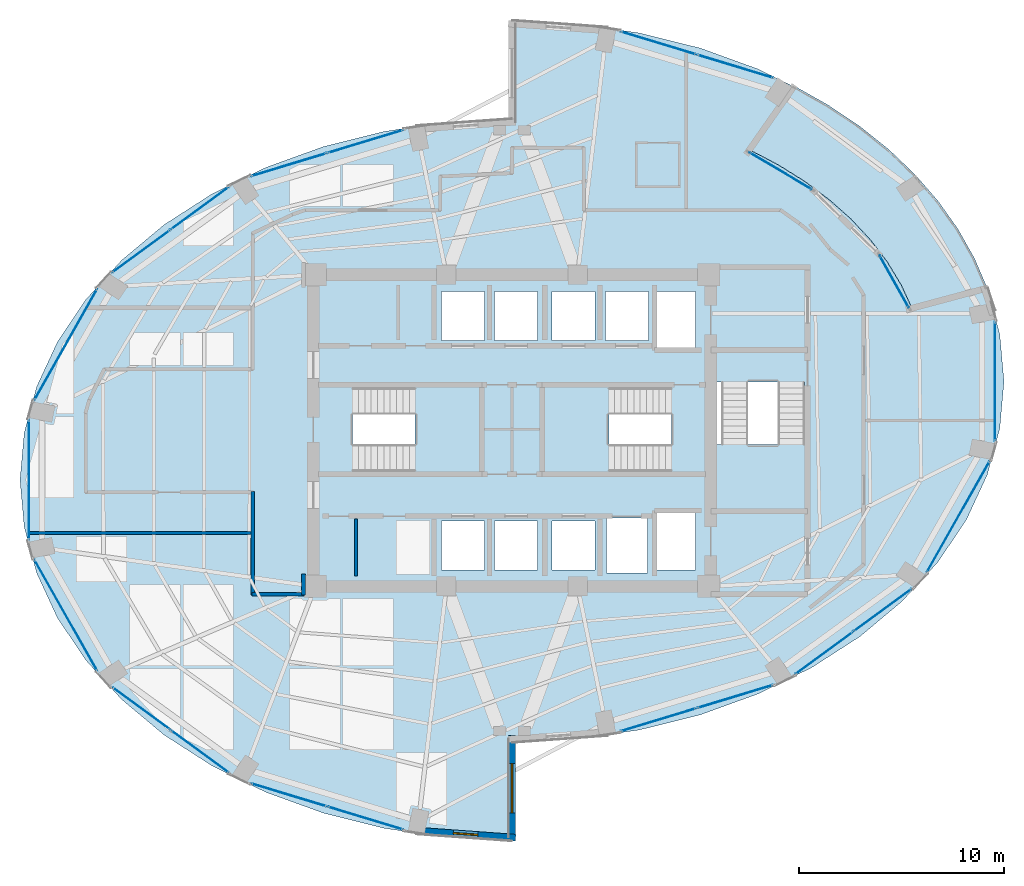
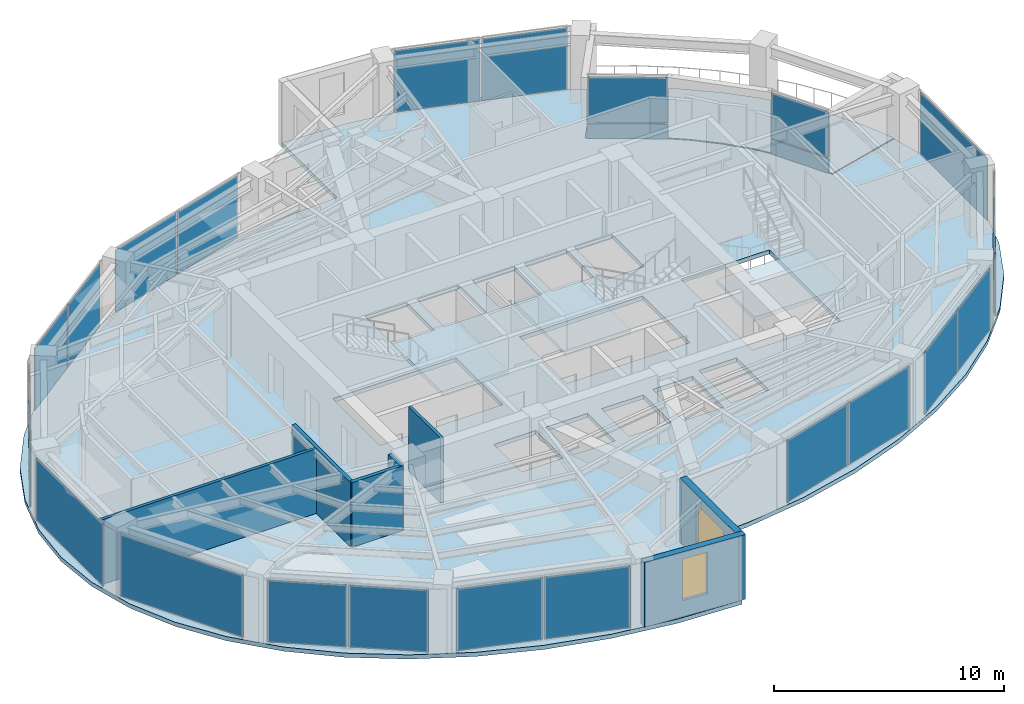
# One storey, part 14 of 19: 23 plates, 7 walls, 5 slabs, 2 windows, 2 openings, 17 elements without a shape of their own.
"""IFC4 building model written with IfcOpenShell, lengths in metres."""

import ifcopenshell
import ifcopenshell.guid

model = None  # the IFC model being written
_history = None  # IfcOwnerHistory: only IFC2X3 demands one
_inside = {}  # id of a spatial element -> (the spatial element, [elements in it])
_under = {}  # id of a project, library or spatial element -> (it, [spatial elements below it])
_declared = {}  # id of a project -> (the project, [libraries it declares])
_typed = {}  # id of a type object -> (the type object, [elements of that type])
_made_of = {}  # id of a material, layer set ... -> (it, [elements and type objects made of it])


def new_model(schema):
    """Start an empty IFC model of exactly this schema.

    Asked for "IFC4X3", IfcOpenShell would pick the latest addendum, in which some entities
    have other attributes; the version numbers below select the first issue.
    IFC2X3 requires an IfcOwnerHistory on every rooted entity: one is made here for all.
    """
    global model, _history
    if schema == "IFC4X3":
        model = ifcopenshell.file(schema_version=(4, 3, 0, 0))
    else:
        model = ifcopenshell.file(schema=schema)
    _inside.clear()
    _under.clear()
    _declared.clear()
    _typed.clear()
    _made_of.clear()
    _history = None
    if model.schema == "IFC2X3":
        org = make("IfcOrganization", Name="unknown")
        user = make(
            "IfcPersonAndOrganization",
            ThePerson=make("IfcPerson", FamilyName="unknown"),
            TheOrganization=org,
        )
        app = make(
            "IfcApplication",
            ApplicationDeveloper=org,
            Version="unknown",
            ApplicationFullName="unknown",
            ApplicationIdentifier="unknown",
        )
        _history = make(
            "IfcOwnerHistory",
            OwningUser=user,
            OwningApplication=app,
            ChangeAction="ADDED",
            CreationDate=0,
        )
    return model


def make(cls, **values):
    """One entity of the class cls with the attributes given. An attribute that is None is left unset."""
    return model.create_entity(
        cls, **{name: value for name, value in values.items() if value is not None}
    )


def rooted(cls, **values):
    """An entity with a GlobalId (a new one), such as an element, a storey or a relation."""
    return make(cls, GlobalId=ifcopenshell.guid.new(), OwnerHistory=_history, **values)


def si_unit(unit_type, name, prefix=None):
    """IfcSIUnit, for example si_unit("LENGTHUNIT", "METRE", prefix="MILLI")."""
    return make("IfcSIUnit", UnitType=unit_type, Prefix=prefix, Name=name)


def assignment(units):
    """IfcUnitAssignment: the units of a project."""
    return None if units is None else make("IfcUnitAssignment", Units=units)


def point(xyz):
    """IfcCartesianPoint."""
    return None if xyz is None else make("IfcCartesianPoint", Coordinates=xyz)


def direction(xyz):
    """IfcDirection."""
    return None if xyz is None else make("IfcDirection", DirectionRatios=xyz)


def frame(location, z_axis=None, x_axis=None):
    """IfcAxis2Placement3D, a coordinate frame: its origin and axes. An axis left out is left unset."""
    return make(
        "IfcAxis2Placement3D",
        Location=point(location),
        Axis=direction(z_axis),
        RefDirection=direction(x_axis),
    )


def frame_2d(location, x_axis=None):
    """IfcAxis2Placement2D, a coordinate frame in the plane: its origin and x axis."""
    return make(
        "IfcAxis2Placement2D", Location=point(location), RefDirection=direction(x_axis)
    )


def origin():
    """The frame at (0, 0, 0) with its axes left unset."""
    return frame((0.0, 0.0, 0.0))


def origin_2d():
    """The frame at (0, 0) in the plane with its x axis left unset."""
    return frame_2d((0.0, 0.0))


def place(relative_to, where):
    """IfcLocalPlacement: puts the frame where relative to a parent placement (None: the world)."""
    return make(
        "IfcLocalPlacement", PlacementRelTo=relative_to, RelativePlacement=where
    )


def context(
    kind, dimensions, precision=None, world=None, true_north=None, identifier=None
):
    """IfcGeometricRepresentationContext, for example the 3D "Model" context."""
    return make(
        "IfcGeometricRepresentationContext",
        ContextIdentifier=identifier,
        ContextType=kind,
        CoordinateSpaceDimension=dimensions,
        Precision=precision,
        WorldCoordinateSystem=world,
        TrueNorth=true_north,
    )


def subcontext(parent, identifier, kind, view, scale=None):
    """IfcGeometricRepresentationSubContext, for example "Body" below "Model"."""
    return make(
        "IfcGeometricRepresentationSubContext",
        ContextIdentifier=identifier,
        ContextType=kind,
        ParentContext=parent,
        TargetScale=scale,
        TargetView=view,
    )


def project(units=None, contexts=None):
    """IfcProject with its units and contexts."""
    return rooted(
        "IfcProject",
        Name="project",
        RepresentationContexts=contexts,
        UnitsInContext=assignment(units),
    )


def spatial(cls, under=None, at=None, **own):
    """A site, building, storey or space (cls), placed at a placement, below another one or the project."""
    s = rooted(cls, ObjectPlacement=at, **own)
    if under is not None:
        _under.setdefault(under.id(), (under, []))[1].append(s)
    return s


def polyline(points):
    """IfcPolyline through the points."""
    return make("IfcPolyline", Points=[point(p) for p in points])


def profile(cls, at=None, kind="AREA", **sizes):
    """A parametric profile (cls). Its sizes go by their IFC names, for example OverallWidth=200.0."""
    return make(cls, ProfileType=kind, Position=at, **sizes)


def rectangle(**sizes):
    """IfcRectangleProfileDef."""
    return profile("IfcRectangleProfileDef", **sizes)


def outline(outer, holes=None, kind="AREA"):
    """IfcArbitraryClosedProfileDef: a profile drawn as a closed curve; with holes, ...WithVoids."""
    if holes is None:
        return make("IfcArbitraryClosedProfileDef", ProfileType=kind, OuterCurve=outer)
    return make(
        "IfcArbitraryProfileDefWithVoids",
        ProfileType=kind,
        OuterCurve=outer,
        InnerCurves=holes,
    )


def extrude(swept, where, along, depth):
    """IfcExtrudedAreaSolid: the profile swept, set in the frame where, extruded along a direction by depth."""
    return make(
        "IfcExtrudedAreaSolid",
        SweptArea=swept,
        Position=where,
        ExtrudedDirection=direction(along),
        Depth=depth,
    )


def shape(context_of_items, identifier, shape_type, items):
    """IfcShapeRepresentation: the items that make up one representation, for example the "Body"."""
    return make(
        "IfcShapeRepresentation",
        ContextOfItems=context_of_items,
        RepresentationIdentifier=identifier,
        RepresentationType=shape_type,
        Items=items,
    )


def material(Name=None, Category=None):
    """IfcMaterial."""
    return make("IfcMaterial", Name=Name, Category=Category)


def layer(
    of_material, thickness, ventilated=None, Name=None, Category=None, Priority=None
):
    """IfcMaterialLayer: one layer of a wall or slab, of a material (None: an air gap)."""
    return make(
        "IfcMaterialLayer",
        Material=of_material,
        LayerThickness=thickness,
        IsVentilated=ventilated,
        Name=Name,
        Category=Category,
        Priority=Priority,
    )


def layer_set(layers, Name=None):
    """IfcMaterialLayerSet."""
    return make("IfcMaterialLayerSet", MaterialLayers=layers, LayerSetName=Name)


def made_of(thing, what):
    """Note that an element or type object is made of a material, layer set ...; save() writes the relation."""
    if what is not None:
        _made_of.setdefault(what.id(), (what, []))[1].append(thing)
    return thing


def type_object(cls, material=None, **own):
    """A type object (cls), such as IfcWallType, which elements share."""
    return made_of(rooted(cls, **own), material)


def element(
    cls,
    number,
    at=None,
    inside=None,
    cuts=None,
    type_object=None,
    material=None,
    context=None,
    identifier="Body",
    shape_type=None,
    held_by="IfcProductDefinitionShape",
    body=None,
    shapes=None,
    **own,
):
    """One element of the class cls, such as IfcWall. Its Tag is "e" and its number.

    at: its placement. inside: the storey or other place that contains it. cuts: it is an
    opening in that element (IfcRelVoidsElement). A single representation is given by context,
    identifier, shape_type and body (its items); several are given by shapes. held_by: the class
    of the entity that holds the representations. save() writes the other relations.
    """
    e = rooted(cls, Tag="e%d" % number, ObjectPlacement=at, **own)
    if body is not None:
        shapes = [shape(context, identifier, shape_type, body)]
    if shapes is not None:
        e.Representation = make(held_by, Representations=shapes)
    if inside is not None:
        _inside.setdefault(inside.id(), (inside, []))[1].append(e)
    if cuts is not None:
        rooted(
            "IfcRelVoidsElement", RelatingBuildingElement=cuts, RelatedOpeningElement=e
        )
    if type_object is not None:
        _typed.setdefault(type_object.id(), (type_object, []))[1].append(e)
    return made_of(e, material)


def fill(opening, filler):
    """IfcRelFillsElement: the door or window that sits in an opening."""
    return rooted(
        "IfcRelFillsElement",
        RelatingOpeningElement=opening,
        RelatedBuildingElement=filler,
    )


def aggregate(whole, parts):
    """IfcRelAggregates: a whole, such as a stair, and the parts it consists of."""
    return rooted("IfcRelAggregates", RelatingObject=whole, RelatedObjects=parts)


def save(model, path):
    """Write the relations noted so far, then the file.

    IfcRelAggregates (storeys below a building ...), IfcRelContainedInSpatialStructure (elements
    in a storey), IfcRelDefinesByType, IfcRelAssociatesMaterial and IfcRelDeclares: one each for
    every whole, place, type object, material and project.
    """
    for whole, parts in _under.values():
        aggregate(whole, parts)
    for where, things in _inside.values():
        rooted(
            "IfcRelContainedInSpatialStructure",
            RelatedElements=things,
            RelatingStructure=where,
        )
    for kind, things in _typed.values():
        rooted("IfcRelDefinesByType", RelatedObjects=things, RelatingType=kind)
    for what, things in _made_of.values():
        rooted("IfcRelAssociatesMaterial", RelatedObjects=things, RelatingMaterial=what)
    for by, libraries in _declared.values():
        rooted("IfcRelDeclares", RelatingContext=by, RelatedDefinitions=libraries)
    model.write(path)


model = new_model("IFC4")

# Units and contexts
model_context = context("Model", 3, precision=1e-05, world=origin(), true_north=direction((0.0, 1.0)))
body_context = subcontext(model_context, "Body", "Model", "MODEL_VIEW")
ifc_project = project(units=[si_unit("LENGTHUNIT", "METRE"), si_unit("AREAUNIT", "SQUARE_METRE"), si_unit("VOLUMEUNIT", "CUBIC_METRE"), si_unit("PLANEANGLEUNIT", "RADIAN"), si_unit("MASSUNIT", "GRAM", prefix="KILO")], contexts=[model_context])

# Site, building, storey
site_placement = place(None, origin())
site = spatial("IfcSite", under=ifc_project, at=site_placement, CompositionType="ELEMENT")
building_placement = place(site_placement, origin())
building = spatial("IfcBuilding", under=site, at=building_placement, Name="Lazwardi Medical Tower", CompositionType="ELEMENT")
storey_placement = place(building_placement, frame((0.0, 0.0, 163.823974609375)))
storey = spatial("IfcBuildingStorey", under=building, at=storey_placement, Name="L42", CompositionType="ELEMENT", Elevation=163.823974609375)

# Curtain wall, plates
ifc_material_1 = material(Name="Anodised bronze aluminium and solar control glazing", Category="aluminium")
ifc_layer_1 = layer(ifc_material_1, 0.195068359375)
ifc_layer_set_1 = layer_set([ifc_layer_1], Name="Anodised bronze aluminium and solar control glazing")
curtain_wall_type_1 = type_object("IfcCurtainWallType", Name="CW-SYS-03", PredefinedType="NOTDEFINED", material=ifc_layer_set_1)
curtain_wall_1_placement = place(storey_placement, origin())
curtain_wall_1 = element("IfcCurtainWall", 1, at=curtain_wall_1_placement, inside=storey, type_object=curtain_wall_type_1, Name="L42 Unitised bronze curtain wall CW-03", PredefinedType="NOTDEFINED")
ifc_material_2 = material(Name="Low-e bronze solar control double glazing", Category="glass")
ifc_layer_2 = layer(ifc_material_2, 0.035888671875)
ifc_layer_set_2 = layer_set([ifc_layer_2], Name="Low-e bronze solar control double glazing")
plate_type_1 = type_object("IfcPlateType", Name="PLT-GLZ-01", PredefinedType="CURTAIN_PANEL", material=ifc_layer_set_2)
plate_1_placement = place(storey_placement, frame((43.1435546875, 13.8935546875, 0.0751953125), z_axis=(0.0, 0.0, 1.0), x_axis=(0.956941516292, 0.290280785441, 0.0)))
plate_1 = element("IfcPlate", 2, at=plate_1_placement, type_object=plate_type_1, Name="CW-03 panel 1.1", PredefinedType="CURTAIN_PANEL", context=body_context, shape_type="SweptSolid", body=[
    extrude(rectangle(XDim=3.83642578125, YDim=0.035888671875, at=origin_2d()), origin(), (0.0, 0.0, 1.0), 3.278076171875),
])
plate_2_placement = place(storey_placement, frame((46.88671875, 15.029052734375, 0.0751953125), z_axis=(0.0, 0.0, 1.0), x_axis=(0.956941516292, 0.290280785441, 0.0)))
plate_2 = element("IfcPlate", 3, at=plate_2_placement, type_object=plate_type_1, Name="CW-03 panel 2.1", PredefinedType="CURTAIN_PANEL", context=body_context, shape_type="SweptSolid", body=[
    extrude(rectangle(XDim=3.83642578125, YDim=0.035888671875, at=origin_2d()), origin(), (0.0, 0.0, 1.0), 3.278076171875),
])
aggregate(curtain_wall_1, [plate_1, plate_2])

curtain_wall_2_placement = place(storey_placement, origin())
curtain_wall_2 = element("IfcCurtainWall", 4, at=curtain_wall_2_placement, inside=storey, type_object=curtain_wall_type_1, Name="L42 Unitised bronze curtain wall CW-03", PredefinedType="NOTDEFINED")
plate_3_placement = place(storey_placement, frame((51.2265625, 17.153076171875, 0.0751953125), z_axis=(0.0, 0.0, 1.0), x_axis=(0.806793249082, 0.590833862635, 0.0)))
plate_3 = element("IfcPlate", 5, at=plate_3_placement, type_object=plate_type_1, Name="CW-03 panel 1.1", PredefinedType="CURTAIN_PANEL", context=body_context, shape_type="SweptSolid", body=[
    extrude(rectangle(XDim=3.472412109375, YDim=0.035888671875, at=origin_2d()), origin(), (0.0, 0.0, 1.0), 3.278076171875),
])
plate_4_placement = place(storey_placement, frame((54.088623046875, 19.2490234375, 0.0751953125), z_axis=(0.0, 0.0, 1.0), x_axis=(0.806793249082, 0.590833862635, 0.0)))
plate_4 = element("IfcPlate", 6, at=plate_4_placement, type_object=plate_type_1, Name="CW-03 panel 2.1", PredefinedType="CURTAIN_PANEL", context=body_context, shape_type="SweptSolid", body=[
    extrude(rectangle(XDim=3.472412109375, YDim=0.035888671875, at=origin_2d()), origin(), (0.0, 0.0, 1.0), 3.278076171875),
])
aggregate(curtain_wall_2, [plate_3, plate_4])

# Curtain wall, plate
curtain_wall_3_placement = place(storey_placement, origin())
curtain_wall_3 = element("IfcCurtainWall", 7, at=curtain_wall_3_placement, inside=storey, type_object=curtain_wall_type_1, Name="L42 Unitised bronze curtain wall CW-03", PredefinedType="NOTDEFINED")
plate_5_placement = place(storey_placement, frame((57.764404296875, 23.798095703125, 0.0751953125), z_axis=(0.0, 0.0, 1.0), x_axis=(0.492311672683, 0.870418989303, 0.0)))
plate_5 = element("IfcPlate", 8, at=plate_5_placement, type_object=plate_type_1, Name="CW-03 panel 1.1", PredefinedType="CURTAIN_PANEL", context=body_context, shape_type="SweptSolid", body=[
    extrude(rectangle(XDim=6.208740234375, YDim=0.035888671875, at=origin_2d()), origin(), (0.0, 0.0, 1.0), 3.278076171875),
])
aggregate(curtain_wall_3, [plate_5])

curtain_wall_4_placement = place(storey_placement, origin())
curtain_wall_4 = element("IfcCurtainWall", 9, at=curtain_wall_4_placement, inside=storey, type_object=curtain_wall_type_1, Name="L42 Unitised bronze curtain wall CW-03", PredefinedType="NOTDEFINED")
plate_6_placement = place(storey_placement, frame((59.5576171875, 30.39990234375, 0.0751953125), z_axis=(0.0, 0.0, 1.0), x_axis=(0.0, 1.0, 0.0)))
plate_6 = element("IfcPlate", 10, at=plate_6_placement, type_object=plate_type_1, Name="CW-03 panel 1.1", PredefinedType="CURTAIN_PANEL", context=body_context, shape_type="SweptSolid", body=[
    extrude(rectangle(XDim=5.8408203125, YDim=0.035888671875, at=origin_2d()), origin(), (0.0, 0.0, 1.0), 3.278076171875),
])
aggregate(curtain_wall_4, [plate_6])

# Curtain wall, plates
curtain_wall_5_placement = place(storey_placement, origin())
curtain_wall_5 = element("IfcCurtainWall", 11, at=curtain_wall_5_placement, inside=storey, type_object=curtain_wall_type_1, Name="L42 Unitised bronze curtain wall CW-03", PredefinedType="NOTDEFINED")
plate_7_placement = place(storey_placement, frame((46.88671875, 45.77099609375, 0.0751953125), z_axis=(0.0, 0.0, 1.0), x_axis=(-0.956941516292, 0.290280785441, 0.0)))
plate_7 = element("IfcPlate", 12, at=plate_7_placement, type_object=plate_type_1, Name="CW-03 panel 1.1", PredefinedType="CURTAIN_PANEL", context=body_context, shape_type="SweptSolid", body=[
    extrude(rectangle(XDim=3.83642578125, YDim=0.035888671875, at=origin_2d()), origin(), (0.0, 0.0, 1.0), 3.278076171875),
])
plate_8_placement = place(storey_placement, frame((43.1435546875, 46.906494140625, 0.0751953125), z_axis=(0.0, 0.0, 1.0), x_axis=(-0.956941516292, 0.290280785441, 0.0)))
plate_8 = element("IfcPlate", 13, at=plate_8_placement, type_object=plate_type_1, Name="CW-03 panel 2.1", PredefinedType="CURTAIN_PANEL", context=body_context, shape_type="SweptSolid", body=[
    extrude(rectangle(XDim=3.83642578125, YDim=0.035888671875, at=origin_2d()), origin(), (0.0, 0.0, 1.0), 3.278076171875),
])
aggregate(curtain_wall_5, [plate_7, plate_8])

curtain_wall_6_placement = place(storey_placement, origin())
curtain_wall_6 = element("IfcCurtainWall", 14, at=curtain_wall_6_placement, inside=storey, type_object=curtain_wall_type_1, Name="L42 Unitised bronze curtain wall CW-03", PredefinedType="NOTDEFINED")
plate_9_placement = place(storey_placement, frame((28.8564453125, 42.1064453125, 0.0751953125), z_axis=(0.0, 0.0, 1.0), x_axis=(-0.956941516292, -0.290280785441, 0.0)))
plate_9 = element("IfcPlate", 15, at=plate_9_placement, type_object=plate_type_1, Name="CW-03 panel 1.1", PredefinedType="CURTAIN_PANEL", context=body_context, shape_type="SweptSolid", body=[
    extrude(rectangle(XDim=3.83642578125, YDim=0.035888671875, at=origin_2d()), origin(), (0.0, 0.0, 1.0), 3.278076171875),
])
plate_10_placement = place(storey_placement, frame((25.11328125, 40.970947265625, 0.0751953125), z_axis=(0.0, 0.0, 1.0), x_axis=(-0.956941516292, -0.290280785441, 0.0)))
plate_10 = element("IfcPlate", 16, at=plate_10_placement, type_object=plate_type_1, Name="CW-03 panel 2.1", PredefinedType="CURTAIN_PANEL", context=body_context, shape_type="SweptSolid", body=[
    extrude(rectangle(XDim=3.83642578125, YDim=0.035888671875, at=origin_2d()), origin(), (0.0, 0.0, 1.0), 3.278076171875),
])
aggregate(curtain_wall_6, [plate_9, plate_10])

curtain_wall_7_placement = place(storey_placement, origin())
curtain_wall_7 = element("IfcCurtainWall", 17, at=curtain_wall_7_placement, inside=storey, type_object=curtain_wall_type_1, Name="L42 Unitised bronze curtain wall CW-03", PredefinedType="NOTDEFINED")
plate_11_placement = place(storey_placement, frame((20.7734375, 38.846923828125, 0.0751953125), z_axis=(0.0, 0.0, 1.0), x_axis=(-0.806793249082, -0.590833862635, 0.0)))
plate_11 = element("IfcPlate", 18, at=plate_11_placement, type_object=plate_type_1, Name="CW-03 panel 1.1", PredefinedType="CURTAIN_PANEL", context=body_context, shape_type="SweptSolid", body=[
    extrude(rectangle(XDim=3.472412109375, YDim=0.035888671875, at=origin_2d()), origin(), (0.0, 0.0, 1.0), 3.278076171875),
])
plate_12_placement = place(storey_placement, frame((17.911376953125, 36.7509765625, 0.0751953125), z_axis=(0.0, 0.0, 1.0), x_axis=(-0.806793249082, -0.590833862635, 0.0)))
plate_12 = element("IfcPlate", 19, at=plate_12_placement, type_object=plate_type_1, Name="CW-03 panel 2.1", PredefinedType="CURTAIN_PANEL", context=body_context, shape_type="SweptSolid", body=[
    extrude(rectangle(XDim=3.472412109375, YDim=0.035888671875, at=origin_2d()), origin(), (0.0, 0.0, 1.0), 3.278076171875),
])
aggregate(curtain_wall_7, [plate_11, plate_12])

# Curtain wall, plate
curtain_wall_8_placement = place(storey_placement, origin())
curtain_wall_8 = element("IfcCurtainWall", 20, at=curtain_wall_8_placement, inside=storey, type_object=curtain_wall_type_1, Name="L42 Unitised bronze curtain wall CW-03", PredefinedType="NOTDEFINED")
plate_13_placement = place(storey_placement, frame((14.235595703125, 32.201904296875, 0.0751953125), z_axis=(0.0, 0.0, 1.0), x_axis=(-0.492311672683, -0.870418989303, 0.0)))
plate_13 = element("IfcPlate", 21, at=plate_13_placement, type_object=plate_type_1, Name="CW-03 panel 1.1", PredefinedType="CURTAIN_PANEL", context=body_context, shape_type="SweptSolid", body=[
    extrude(rectangle(XDim=6.208740234375, YDim=0.035888671875, at=origin_2d()), origin(), (0.0, 0.0, 1.0), 3.278076171875),
])
aggregate(curtain_wall_8, [plate_13])

curtain_wall_9_placement = place(storey_placement, origin())
curtain_wall_9 = element("IfcCurtainWall", 22, at=curtain_wall_9_placement, inside=storey, type_object=curtain_wall_type_1, Name="L42 Unitised bronze curtain wall CW-03", PredefinedType="NOTDEFINED")
plate_14_placement = place(storey_placement, frame((12.4423828125, 25.60009765625, 0.0751953125), z_axis=(0.0, 0.0, 1.0), x_axis=(0.0, -1.0, 0.0)))
plate_14 = element("IfcPlate", 23, at=plate_14_placement, type_object=plate_type_1, Name="CW-03 panel 1.1", PredefinedType="CURTAIN_PANEL", context=body_context, shape_type="SweptSolid", body=[
    extrude(rectangle(XDim=5.8408203125, YDim=0.035888671875, at=origin_2d()), origin(), (0.0, 0.0, 1.0), 3.278076171875),
])
aggregate(curtain_wall_9, [plate_14])

curtain_wall_10_placement = place(storey_placement, origin())
curtain_wall_10 = element("IfcCurtainWall", 24, at=curtain_wall_10_placement, inside=storey, type_object=curtain_wall_type_1, Name="L42 Unitised bronze curtain wall CW-03", PredefinedType="NOTDEFINED")
plate_15_placement = place(storey_placement, frame((14.235595703125, 18.998046875, 0.0751953125), z_axis=(0.0, 0.0, 1.0), x_axis=(0.492311672683, -0.870418989303, 0.0)))
plate_15 = element("IfcPlate", 25, at=plate_15_placement, type_object=plate_type_1, Name="CW-03 panel 1.1", PredefinedType="CURTAIN_PANEL", context=body_context, shape_type="SweptSolid", body=[
    extrude(rectangle(XDim=6.208740234375, YDim=0.035888671875, at=origin_2d()), origin(), (0.0, 0.0, 1.0), 3.278076171875),
])
aggregate(curtain_wall_10, [plate_15])

# Curtain wall, plates
curtain_wall_11_placement = place(storey_placement, origin())
curtain_wall_11 = element("IfcCurtainWall", 26, at=curtain_wall_11_placement, inside=storey, type_object=curtain_wall_type_1, Name="L42 Unitised bronze curtain wall CW-03", PredefinedType="NOTDEFINED")
plate_16_placement = place(storey_placement, frame((17.911376953125, 14.448974609375, 0.0751953125), z_axis=(0.0, 0.0, 1.0), x_axis=(0.806793249082, -0.590833862635, 0.0)))
plate_16 = element("IfcPlate", 27, at=plate_16_placement, type_object=plate_type_1, Name="CW-03 panel 1.1", PredefinedType="CURTAIN_PANEL", context=body_context, shape_type="SweptSolid", body=[
    extrude(rectangle(XDim=3.472412109375, YDim=0.035888671875, at=origin_2d()), origin(), (0.0, 0.0, 1.0), 3.278076171875),
])
plate_17_placement = place(storey_placement, frame((20.7734375, 12.35302734375, 0.0751953125), z_axis=(0.0, 0.0, 1.0), x_axis=(0.806793249082, -0.590833862635, 0.0)))
plate_17 = element("IfcPlate", 28, at=plate_17_placement, type_object=plate_type_1, Name="CW-03 panel 2.1", PredefinedType="CURTAIN_PANEL", context=body_context, shape_type="SweptSolid", body=[
    extrude(rectangle(XDim=3.472412109375, YDim=0.035888671875, at=origin_2d()), origin(), (0.0, 0.0, 1.0), 3.278076171875),
])
aggregate(curtain_wall_11, [plate_16, plate_17])

curtain_wall_12_placement = place(storey_placement, origin())
curtain_wall_12 = element("IfcCurtainWall", 29, at=curtain_wall_12_placement, inside=storey, type_object=curtain_wall_type_1, Name="L42 Unitised bronze curtain wall CW-03", PredefinedType="NOTDEFINED")
plate_18_placement = place(storey_placement, frame((25.11328125, 10.22900390625, 0.0751953125), z_axis=(0.0, 0.0, 1.0), x_axis=(0.956941516292, -0.290280785441, 0.0)))
plate_18 = element("IfcPlate", 30, at=plate_18_placement, type_object=plate_type_1, Name="CW-03 panel 1.1", PredefinedType="CURTAIN_PANEL", context=body_context, shape_type="SweptSolid", body=[
    extrude(rectangle(XDim=3.83642578125, YDim=0.035888671875, at=origin_2d()), origin(), (0.0, 0.0, 1.0), 3.278076171875),
])
plate_19_placement = place(storey_placement, frame((28.8564453125, 9.093505859375, 0.0751953125), z_axis=(0.0, 0.0, 1.0), x_axis=(0.956941516292, -0.290280785441, 0.0)))
plate_19 = element("IfcPlate", 31, at=plate_19_placement, type_object=plate_type_1, Name="CW-03 panel 2.1", PredefinedType="CURTAIN_PANEL", context=body_context, shape_type="SweptSolid", body=[
    extrude(rectangle(XDim=3.83642578125, YDim=0.035888671875, at=origin_2d()), origin(), (0.0, 0.0, 1.0), 3.278076171875),
])
aggregate(curtain_wall_12, [plate_18, plate_19])

ifc_layer_3 = layer(ifc_material_1, 0.239990234375)
ifc_layer_set_3 = layer_set([ifc_layer_3], Name="Anodised bronze aluminium and solar control glazing")
curtain_wall_type_2 = type_object("IfcCurtainWallType", Name="CW-SYS-05", PredefinedType="NOTDEFINED", material=ifc_layer_set_3)
curtain_wall_13_placement = place(storey_placement, origin())
curtain_wall_13 = element("IfcCurtainWall", 32, at=curtain_wall_13_placement, inside=storey, type_object=curtain_wall_type_2, Name="L42 Unitised bronze curtain wall CW-05", PredefinedType="NOTDEFINED")
ifc_material_3 = material(Name="Laminated acoustic bronze double glazing", Category="glass")
ifc_layer_4 = layer(ifc_material_3, 0.0419921875)
ifc_layer_set_4 = layer_set([ifc_layer_4], Name="Laminated acoustic bronze double glazing")
plate_type_2 = type_object("IfcPlateType", Name="PLT-GLZ-02", PredefinedType="CURTAIN_PANEL", material=ifc_layer_set_4)
plate_20_placement = place(storey_placement, frame((54.6435546875, 35.275634765625, 0.0849609375), z_axis=(0.0, 0.0, 1.0), x_axis=(-0.49088699117, 0.87122325606, 0.0)))
plate_20 = element("IfcPlate", 33, at=plate_20_placement, type_object=plate_type_2, Name="CW-05 panel 1.1", PredefinedType="CURTAIN_PANEL", context=body_context, shape_type="SweptSolid", body=[
    extrude(rectangle(XDim=2.894775390625, YDim=0.0419921875, at=origin_2d()), origin(), (0.0, 0.0, 1.0), 0.7724609375),
])
plate_21_placement = place(storey_placement, frame((54.6435546875, 35.275634765625, 0.942626953125), z_axis=(0.0, 0.0, 1.0), x_axis=(-0.49088699117, 0.87122325606, 0.0)))
plate_21 = element("IfcPlate", 34, at=plate_21_placement, type_object=plate_type_2, Name="CW-05 panel 1.2", PredefinedType="CURTAIN_PANEL", context=body_context, shape_type="SweptSolid", body=[
    extrude(rectangle(XDim=2.894775390625, YDim=0.0419921875, at=origin_2d()), origin(), (0.0, 0.0, 1.0), 2.400390625),
])
aggregate(curtain_wall_13, [plate_20, plate_21])

curtain_wall_14_placement = place(storey_placement, origin())
curtain_wall_14 = element("IfcCurtainWall", 35, at=curtain_wall_14_placement, inside=storey, type_object=curtain_wall_type_2, Name="L42 Unitised bronze curtain wall CW-05", PredefinedType="NOTDEFINED")
plate_22_placement = place(storey_placement, frame((49.1015625, 40.66796875, 0.0849609375), z_axis=(0.0, 0.0, 1.0), x_axis=(-0.860428700061, 0.509570850923, 0.0)))
plate_22 = element("IfcPlate", 36, at=plate_22_placement, type_object=plate_type_2, Name="CW-05 panel 1.1", PredefinedType="CURTAIN_PANEL", context=body_context, shape_type="SweptSolid", body=[
    extrude(rectangle(XDim=3.51220703125, YDim=0.0419921875, at=origin_2d()), origin(), (0.0, 0.0, 1.0), 0.7724609375),
])
plate_23_placement = place(storey_placement, frame((49.1015625, 40.66796875, 0.942626953125), z_axis=(0.0, 0.0, 1.0), x_axis=(-0.860428700061, 0.509570850923, 0.0)))
plate_23 = element("IfcPlate", 37, at=plate_23_placement, type_object=plate_type_2, Name="CW-05 panel 1.2", PredefinedType="CURTAIN_PANEL", context=body_context, shape_type="SweptSolid", body=[
    extrude(rectangle(XDim=3.51220703125, YDim=0.0419921875, at=origin_2d()), origin(), (0.0, 0.0, 1.0), 2.400390625),
])
aggregate(curtain_wall_14, [plate_22, plate_23])

# Stair, slab
ifc_material_4 = material(Name="Concrete C45/55", Category="concrete")
stair_type = type_object("IfcStairType", Name="STR-WRD", PredefinedType="HALF_TURN_STAIR", material=ifc_material_4)
stair_1_placement = place(storey_placement, origin())
stair_1 = element("IfcStair", 38, at=stair_1_placement, inside=storey, type_object=stair_type, Name="L42 Protected Exit Stair ST1", PredefinedType="HALF_TURN_STAIR")
ifc_layer_5 = layer(ifc_material_4, 0.199951171875)
ifc_layer_set_5 = layer_set([ifc_layer_5], Name="Concrete C45/55")
slab_type_1 = type_object("IfcSlabType", Name="SLB-LND-190", PredefinedType="LANDING", material=ifc_layer_set_5)
slab_1_placement = place(storey_placement, frame((0.0, 0.0, 1.6240234375)))
slab_1 = element("IfcSlab", 39, at=slab_1_placement, type_object=slab_type_1, Name="ST1 landing 1", PredefinedType="LANDING", context=body_context, shape_type="SweptSolid", body=[
    extrude(outline(polyline([(31.27490234375, 25.840087890625), (34.580078125, 25.840087890625), (34.580078125, 30.280029296875), (31.27490234375, 30.280029296875), (31.27490234375, 25.840087890625)])), origin(), (0.0, 0.0, 1.0), 0.199951171875),
])
aggregate(stair_1, [slab_1])

stair_2_placement = place(storey_placement, origin())
stair_2 = element("IfcStair", 40, at=stair_2_placement, inside=storey, type_object=stair_type, Name="L42 Protected Exit Stair ST2", PredefinedType="HALF_TURN_STAIR")
slab_2_placement = place(storey_placement, frame((0.0, 0.0, 1.6240234375)))
slab_2 = element("IfcSlab", 41, at=slab_2_placement, type_object=slab_type_1, Name="ST2 landing 1", PredefinedType="LANDING", context=body_context, shape_type="SweptSolid", body=[
    extrude(outline(polyline([(40.72509765625, 30.280029296875), (37.419921875, 30.280029296875), (37.419921875, 25.840087890625), (40.72509765625, 25.840087890625), (40.72509765625, 30.280029296875)])), origin(), (0.0, 0.0, 1.0), 0.199951171875),
])
aggregate(stair_2, [slab_2])

stair_3_placement = place(storey_placement, origin())
stair_3 = element("IfcStair", 42, at=stair_3_placement, inside=storey, type_object=stair_type, Name="L42 Protected Exit Stair ST3", PredefinedType="HALF_TURN_STAIR")
slab_3_placement = place(storey_placement, frame((0.0, 0.0, 1.6240234375)))
slab_3 = element("IfcSlab", 43, at=slab_3_placement, type_object=slab_type_1, Name="ST3 landing 1", PredefinedType="LANDING", context=body_context, shape_type="SweptSolid", body=[
    extrude(outline(polyline([(45.860107421875, 27.324951171875), (45.860107421875, 24.02001953125), (50.4599609375, 24.02001953125), (50.4599609375, 27.324951171875), (45.860107421875, 27.324951171875)])), origin(), (0.0, 0.0, 1.0), 0.199951171875),
])
aggregate(stair_3, [slab_3])

# Slabs
ifc_material_5 = material(Name="Concrete C50/60", Category="concrete")
ifc_layer_6 = layer(ifc_material_5, 0.260009765625)
ifc_layer_set_6 = layer_set([ifc_layer_6], Name="Concrete C50/60")
slab_type_2 = type_object("IfcSlabType", Name="SLB-SKG-260", PredefinedType="ROOF", material=ifc_layer_set_6)
slab_4_placement = place(storey_placement, frame((0.0, 0.0, -0.219970703125)))
element("IfcSlab", 44, at=slab_4_placement, inside=storey, type_object=slab_type_2, Name="L42 Sky Garden SG3 Planted Terrace Slab", PredefinedType="ROOF", context=body_context, shape_type="SweptSolid", body=[
    extrude(outline(polyline([(58.552490234375, 36.419677734375), (57.75146484375, 37.838134765625), (56.78466796875, 39.199951171875), (55.65966796875, 40.494873046875), (54.385009765625, 41.713134765625), (52.970703125, 42.84521484375), (51.427001953125, 43.88232421875), (49.765869140625, 44.817138671875), (47.586181640625, 41.704345703125), (48.984375, 40.971435546875), (50.28369140625, 40.158203125), (51.47412109375, 39.2705078125), (52.546875, 38.3154296875), (53.49365234375, 37.300048828125), (54.307373046875, 36.232177734375), (54.981689453125, 35.119873046875), (55.51171875, 33.9716796875), (59.18212890625, 34.955078125), (58.552490234375, 36.419677734375)])), origin(), (0.0, 0.0, 1.0), 0.260009765625),
])
ifc_layer_7 = layer(ifc_material_5, 0.219970703125)
ifc_layer_set_7 = layer_set([ifc_layer_7], Name="Concrete C50/60")
slab_type_3 = type_object("IfcSlabType", Name="SLB-WRD-220", PredefinedType="FLOOR", material=ifc_layer_set_7)
slab_5_placement = place(storey_placement, frame((0.0, 0.0, -0.219970703125)))
element("IfcSlab", 45, at=slab_5_placement, inside=storey, type_object=slab_type_3, Name="Structural floor slab SF-03 L42", PredefinedType="FLOOR", context=body_context, shape_type="SweptSolid", body=[
    extrude(outline(polyline([(39.132568359375, 12.95068359375), (42.211669921875, 13.399658203125), (45.184326171875, 14.1396484375), (48.0, 15.157958984375), (50.6103515625, 16.43701171875), (52.970703125, 17.954833984375), (55.04052734375, 19.685791015625), (56.78466796875, 21.60009765625), (58.173095703125, 23.664794921875), (59.18212890625, 25.8447265625), (59.794677734375, 28.102783203125), (60.0, 30.39990234375), (59.794677734375, 32.697265625), (59.18359375, 34.950439453125), (59.18359375, 34.950439453125), (55.512939453125, 33.966796875), (55.512451171875, 33.966796875), (55.511962890625, 33.966796875), (55.511474609375, 33.966796875), (55.510986328125, 33.966796875), (55.510498046875, 33.966796875), (55.510009765625, 33.967041015625), (55.509521484375, 33.96728515625), (55.509033203125, 33.96728515625), (55.5087890625, 33.9677734375), (55.50830078125, 33.968017578125), (55.508056640625, 33.968505859375), (55.5078125, 33.96875), (55.50732421875, 33.96923828125), (55.507080078125, 33.969482421875), (54.977294921875, 35.117431640625), (54.30322265625, 36.229248046875), (53.489990234375, 37.296875), (52.54345703125, 38.311767578125), (51.470947265625, 39.2666015625), (50.28076171875, 40.154052734375), (48.981689453125, 40.967041015625), (47.583984375, 41.699951171875), (47.58349609375, 41.7001953125), (47.5830078125, 41.700439453125), (47.582763671875, 41.70068359375), (47.582275390625, 41.701171875), (47.58203125, 41.701416015625), (47.581787109375, 41.701904296875), (47.58154296875, 41.702392578125), (47.581298828125, 41.702880859375), (47.581298828125, 41.703369140625), (47.581298828125, 41.703857421875), (47.581298828125, 41.704345703125), (47.581298828125, 41.704833984375), (47.581298828125, 41.705322265625), (47.581298828125, 41.705810546875), (47.58154296875, 41.706298828125), (47.581787109375, 41.706787109375), (47.58203125, 41.707275390625), (49.740234375, 44.789306640625), (48.0, 45.64208984375), (45.184326171875, 46.660400390625), (42.211669921875, 47.400390625), (39.132568359375, 47.849365234375), (36.0, 48.0), (36.0, 43.199951171875), (32.867431640625, 43.04931640625), (29.788330078125, 42.600341796875), (26.815673828125, 41.8603515625), (24.0, 40.842041015625), (21.3896484375, 39.56298828125), (19.029296875, 38.045166015625), (16.95947265625, 36.314208984375), (15.21533203125, 34.39990234375), (13.826904296875, 32.335205078125), (12.81787109375, 30.1552734375), (12.205322265625, 27.897216796875), (12.0, 25.60009765625), (12.205322265625, 23.302734375), (12.81787109375, 21.044921875), (13.826904296875, 18.86474609375), (15.21533203125, 16.800048828125), (16.95947265625, 14.8857421875), (19.029296875, 13.15478515625), (21.3896484375, 11.636962890625), (24.0, 10.35791015625), (26.815673828125, 9.339599609375), (29.788330078125, 8.599609375), (32.867431640625, 8.150634765625), (36.0, 8.0), (36.0, 12.800048828125), (39.132568359375, 12.95068359375)]), holes=[polyline([(28.22509765625, 26.02001953125), (28.22509765625, 30.10009765625), (34.39990234375, 30.10009765625), (34.39990234375, 26.02001953125), (28.22509765625, 26.02001953125)]), polyline([(37.60009765625, 30.10009765625), (43.77490234375, 30.10009765625), (43.77490234375, 26.02001953125), (37.60009765625, 26.02001953125), (37.60009765625, 30.10009765625)]), polyline([(50.280029296875, 30.375), (50.280029296875, 24.179931640625), (45.840087890625, 24.179931640625), (45.840087890625, 30.375), (50.280029296875, 30.375)]), polyline([(34.64990234375, 32.39990234375), (32.550048828125, 32.39990234375), (32.550048828125, 34.800048828125), (34.64990234375, 34.800048828125), (34.64990234375, 32.39990234375)]), polyline([(35.14990234375, 32.39990234375), (35.14990234375, 34.800048828125), (37.25, 34.800048828125), (37.25, 32.39990234375), (35.14990234375, 32.39990234375)]), polyline([(32.550048828125, 23.60009765625), (34.64990234375, 23.60009765625), (34.64990234375, 21.199951171875), (32.550048828125, 21.199951171875), (32.550048828125, 23.60009765625)]), polyline([(37.25, 23.60009765625), (37.25, 21.199951171875), (35.14990234375, 21.199951171875), (35.14990234375, 23.60009765625), (37.25, 23.60009765625)]), polyline([(40.050048828125, 32.39990234375), (37.949951171875, 32.39990234375), (37.949951171875, 34.800048828125), (40.050048828125, 34.800048828125), (40.050048828125, 32.39990234375)]), polyline([(40.550048828125, 32.39990234375), (40.550048828125, 34.800048828125), (42.64990234375, 34.800048828125), (42.64990234375, 32.39990234375), (40.550048828125, 32.39990234375)]), polyline([(37.949951171875, 23.60009765625), (40.050048828125, 23.60009765625), (40.050048828125, 21.199951171875), (37.949951171875, 21.199951171875), (37.949951171875, 23.60009765625)]), polyline([(44.949951171875, 34.800048828125), (44.949951171875, 32.0), (43.050048828125, 32.0), (43.050048828125, 34.800048828125), (44.949951171875, 34.800048828125)]), polyline([(44.949951171875, 21.199951171875), (43.050048828125, 21.199951171875), (43.050048828125, 24.0), (44.949951171875, 24.0), (44.949951171875, 21.199951171875)]), polyline([(40.60009765625, 21.050048828125), (40.60009765625, 23.75), (42.60009765625, 23.75), (42.60009765625, 21.050048828125), (40.60009765625, 21.050048828125)])]), origin(), (0.0, 0.0, 1.0), 0.219970703125),
])

# Walls
ifc_material_6 = material(Name="Fire-rated gypsum board on steel stud", Category="steel")
ifc_layer_8 = layer(ifc_material_6, 0.179931640625)
ifc_layer_set_8 = layer_set([ifc_layer_8], Name="Fire-rated gypsum board on steel stud")
wall_type_1 = type_object("IfcWallType", Name="WL-COR-180", PredefinedType="PARTITIONING", material=ifc_layer_set_8)
wall_1_placement = place(storey_placement, frame((25.830078125, 21.010009765625, 0.0), z_axis=(0.0, 0.0, 1.0), x_axis=(0.0, -1.0, 0.0)))
element("IfcWall", 46, at=wall_1_placement, inside=storey, type_object=wall_type_1, Name="L42 Corridor partition 21", PredefinedType="PARTITIONING", context=body_context, shape_type="SweptSolid", body=[
    extrude(rectangle(XDim=1.030029296875, YDim=0.179931640625, at=frame_2d((0.51513671875, 0.0))), origin(), (0.0, 0.0, 1.0), 3.427978515625),
])
wall_2_placement = place(storey_placement, frame((25.8701171875, 20.02001953125, 0.0), z_axis=(0.0, 0.0, 1.0), x_axis=(-1.0, 0.0, 0.0)))
element("IfcWall", 47, at=wall_2_placement, inside=storey, type_object=wall_type_1, Name="L42 Corridor partition 22", PredefinedType="PARTITIONING", context=body_context, shape_type="SweptSolid", body=[
    extrude(rectangle(XDim=2.56005859375, YDim=0.179931640625, at=frame_2d((1.280029296875, 0.0))), origin(), (0.0, 0.0, 1.0), 3.427978515625),
])
wall_3_placement = place(storey_placement, frame((23.35009765625, 19.97998046875, 0.0), z_axis=(0.0, 0.0, 1.0), x_axis=(0.0, 1.0, 0.0)))
element("IfcWall", 48, at=wall_3_placement, inside=storey, type_object=wall_type_1, Name="L42 Corridor partition 23", PredefinedType="PARTITIONING", context=body_context, shape_type="SweptSolid", body=[
    extrude(rectangle(XDim=5.06005859375, YDim=0.179931640625, at=frame_2d((2.530029296875, 0.0))), origin(), (0.0, 0.0, 1.0), 3.427978515625),
])

# Wall, opening, window
ifc_material_7 = material(Name="Precast concrete C45/55", Category="concrete")
ifc_layer_9 = layer(ifc_material_7, 0.320068359375)
ifc_layer_set_9 = layer_set([ifc_layer_9], Name="Precast concrete C45/55")
wall_type_2 = type_object("IfcWallType", Name="WL-IWAN-320", PredefinedType="SOLIDWALL", material=ifc_layer_set_9)
wall_4_placement = place(storey_placement, frame((31.299072265625, 8.498779296875, 0.0), z_axis=(0.0, 0.0, 1.0), x_axis=(0.997415202861, -0.071853413984, 0.0)))
wall_4 = element("IfcWall", 49, at=wall_4_placement, inside=storey, type_object=wall_type_2, Name="L42 Iwan Portal Return Wall SW_ret", PredefinedType="SOLIDWALL", context=body_context, shape_type="SweptSolid", body=[
    extrude(rectangle(XDim=4.892822265625, YDim=0.320068359375, at=frame_2d((2.4462890625, 0.0))), origin(), (0.0, 0.0, 1.0), 3.427978515625),
])
opening_1_placement = place(wall_4_placement, frame((1.84619140625, 0.0, 0.85009765625)))
opening_1 = element("IfcOpeningElement", 50, at=opening_1_placement, cuts=wall_4, Name="Opening WN-01", PredefinedType="OPENING", context=body_context, shape_type="SweptSolid", body=[
    extrude(rectangle(XDim=1.199951171875, YDim=2.199951171875, at=frame_2d((0.60009765625, 1.10009765625))), frame((0.0, 0.169921875, 0.0), z_axis=(0.0, -1.0, 0.0), x_axis=(1.0, 0.0, 0.0)), (0.0, 0.0, 1.0), 0.340087890625),
])
window_type_1 = type_object("IfcWindowType", Name="WIN-IW-1200", PartitioningType="SINGLE_PANEL", PredefinedType="WINDOW", material=ifc_material_2)
window_1_placement = place(opening_1_placement, origin())
window_1 = element("IfcWindow", 51, at=window_1_placement, inside=storey, type_object=window_type_1, Name="L42 Iwan Slot Window SW_ret", OverallHeight=2.199951171875, OverallWidth=1.199951171875, PartitioningType="SINGLE_PANEL", PredefinedType="WINDOW", context=body_context, shape_type="SweptSolid", body=[
    extrude(rectangle(XDim=1.199951171875, YDim=2.199951171875, at=frame_2d((0.60009765625, 1.10009765625))), frame((0.0, 0.030029296875, 0.0), z_axis=(0.0, -1.0, 0.0), x_axis=(1.0, 0.0, 0.0)), (0.0, 0.0, 1.0), 0.06005859375),
])
fill(opening_1, window_1)

wall_5_placement = place(storey_placement, frame((36.0, 8.0, 0.0), z_axis=(0.0, 0.0, 1.0), x_axis=(0.0, 1.0, 0.0)))
wall_5 = element("IfcWall", 52, at=wall_5_placement, inside=storey, type_object=wall_type_2, Name="L42 Turquoise Tilework Iwan Seam Wall S_seam", PredefinedType="SOLIDWALL", context=body_context, shape_type="SweptSolid", body=[
    extrude(rectangle(XDim=5.1201171875, YDim=0.320068359375, at=frame_2d((2.56005859375, 0.0))), origin(), (0.0, 0.0, 1.0), 3.427978515625),
])
opening_2_placement = place(wall_5_placement, frame((1.360107421875, 0.0, 0.840087890625)))
opening_2 = element("IfcOpeningElement", 53, at=opening_2_placement, cuts=wall_5, Name="Opening WN-02", PredefinedType="OPENING", context=body_context, shape_type="SweptSolid", body=[
    extrude(rectangle(XDim=2.39990234375, YDim=2.0400390625, at=frame_2d((1.199951171875, 1.02001953125))), frame((0.0, 0.169921875, 0.0), z_axis=(0.0, -1.0, 0.0), x_axis=(1.0, 0.0, 0.0)), (0.0, 0.0, 1.0), 0.340087890625),
])
window_type_2 = type_object("IfcWindowType", Name="WIN-IW-2400", PartitioningType="SINGLE_PANEL", PredefinedType="WINDOW", material=ifc_material_2)
window_2_placement = place(opening_2_placement, origin())
window_2 = element("IfcWindow", 54, at=window_2_placement, inside=storey, type_object=window_type_2, Name="L42 Iwan Seam Window S_seam", OverallHeight=2.0400390625, OverallWidth=2.39990234375, PartitioningType="SINGLE_PANEL", PredefinedType="WINDOW", context=body_context, shape_type="SweptSolid", body=[
    extrude(rectangle(XDim=2.39990234375, YDim=2.0400390625, at=frame_2d((1.199951171875, 1.02001953125))), frame((0.0, 0.030029296875, 0.0), z_axis=(0.0, -1.0, 0.0), x_axis=(1.0, 0.0, 0.0)), (0.0, 0.0, 1.0), 0.06005859375),
])
fill(opening_2, window_2)

# Walls
ifc_material_8 = material(Name="Acoustic gypsum board partition")
ifc_layer_10 = layer(ifc_material_8, 0.14990234375)
ifc_layer_set_10 = layer_set([ifc_layer_10], Name="Acoustic gypsum board partition")
wall_type_3 = type_object("IfcWallType", Name="WL-WRD-150", PredefinedType="PARTITIONING", material=ifc_layer_set_10)
wall_6_placement = place(storey_placement, frame((28.39990234375, 20.89990234375, 0.0), z_axis=(0.0, 0.0, 1.0), x_axis=(0.0, 1.0, 0.0)))
element("IfcWall", 55, at=wall_6_placement, inside=storey, type_object=wall_type_3, Name="L42 Freed bay S split 2", PredefinedType="PARTITIONING", context=body_context, shape_type="SweptSolid", body=[
    extrude(rectangle(XDim=2.800048828125, YDim=0.14990234375, at=frame_2d((1.39990234375, 0.0))), origin(), (0.0, 0.0, 1.0), 3.427978515625),
])
wall_7_placement = place(storey_placement, frame((12.452880859375, 23.0, 0.0), z_axis=(0.0, 0.0, 1.0), x_axis=(1.0, 0.0, 0.0)))
element("IfcWall", 56, at=wall_7_placement, inside=storey, type_object=wall_type_3, Name="L42 Room partition 1", PredefinedType="PARTITIONING", context=body_context, shape_type="SweptSolid", body=[
    extrude(rectangle(XDim=10.80712890625, YDim=0.14990234375, at=frame_2d((5.403564453125, 0.0))), origin(), (0.0, 0.0, 1.0), 3.427978515625),
])

save(model, "model.ifc")
